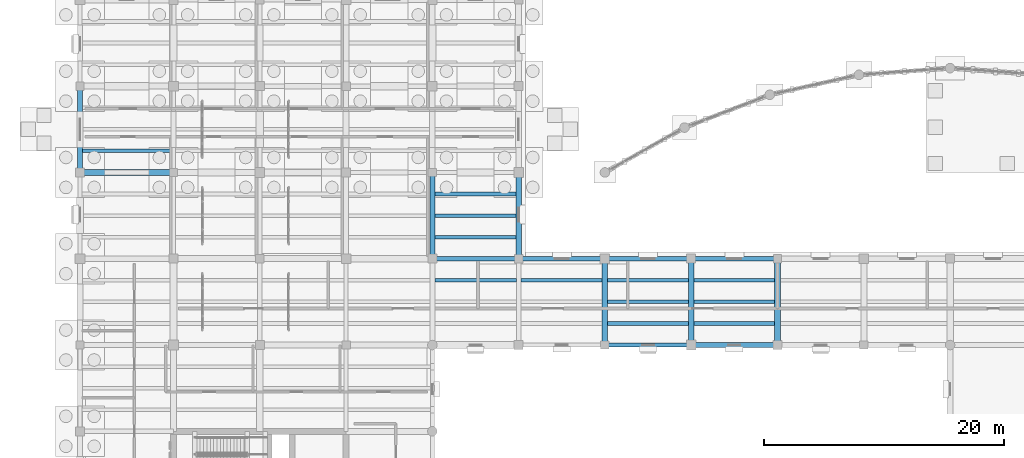
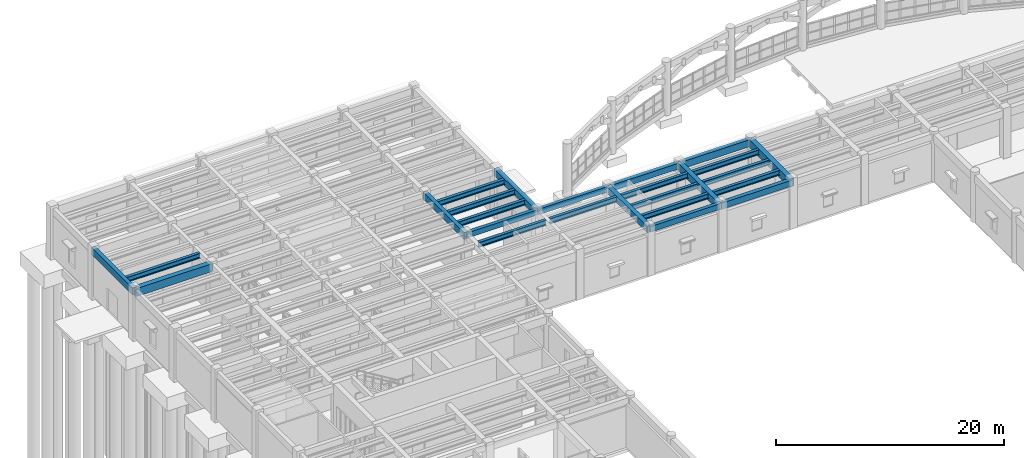
# One storey, part 24 of 100: 25 beams.
"""IFC4 building model written with IfcOpenShell, lengths in metres."""

from ifc_helpers import new_model, si_unit, direction, frame, origin, origin_2d, place, context, subcontext, project, spatial, rectangle, i_section, extrude, material, material_profile, profile_set, type_object, element, save


model = new_model("IFC4")

# Units and contexts
model_context = context("Model", 3, precision=1e-05, world=origin(), true_north=direction((0.0, 1.0)))
body_context = subcontext(model_context, "Body", "Model", "MODEL_VIEW")
ifc_project = project(units=[si_unit("LENGTHUNIT", "METRE"), si_unit("AREAUNIT", "SQUARE_METRE"), si_unit("VOLUMEUNIT", "CUBIC_METRE"), si_unit("PLANEANGLEUNIT", "RADIAN"), si_unit("MASSUNIT", "GRAM", prefix="KILO")], contexts=[model_context])

# Site, building, storey
site_placement = place(None, origin())
site = spatial("IfcSite", under=ifc_project, at=site_placement, CompositionType="ELEMENT")
building_placement = place(site_placement, origin())
building = spatial("IfcBuilding", under=site, at=building_placement, Name="Mithqara Police Headquarters", CompositionType="ELEMENT")
storey_placement = place(building_placement, origin())
storey = spatial("IfcBuildingStorey", under=building, at=storey_placement, Name="L00", CompositionType="ELEMENT", Elevation=0.0)

# Beams
ifc_material_1 = material(Name="Steel S355JR", Category="steel")
ifc_material_profile_1 = material_profile(ifc_material_1, i_section(OverallWidth=0.300048828125, OverallDepth=0.550048828125, WebThickness=0.014892578125, FlangeThickness=0.029052734375, FilletRadius=0.027099609375, at=origin_2d()), Name="HEB 550")
ifc_profile_set_1 = profile_set([ifc_material_profile_1], Name="Steel S355JR")
beam_type_1 = type_object("IfcBeamType", Name="BEAM HEB550", PredefinedType="BEAM", material=ifc_profile_set_1)
beam_1_placement = place(storey_placement, frame((0.199951171875, 94.800048828125, 4.844970703125), z_axis=(1.0, 0.0, 0.0), x_axis=(0.0, 1.0, 0.0)))
element("IfcBeam", 1, at=beam_1_placement, inside=storey, type_object=beam_type_1, Name="L00 Composite Steel Joist 1-2/P.1", PredefinedType="BEAM", context=body_context, shape_type="SweptSolid", body=[
    extrude(i_section(OverallWidth=0.300048828125, OverallDepth=0.550048828125, WebThickness=0.014892578125, FlangeThickness=0.029052734375, FilletRadius=0.027099609375, at=origin_2d()), origin(), (0.0, 0.0, 1.0), 7.425048828125),
])
beam_2_placement = place(storey_placement, frame((29.60009765625, 84.0, 4.844970703125), z_axis=(1.0, 0.0, 0.0), x_axis=(0.0, 1.0, 0.0)))
element("IfcBeam", 2, at=beam_2_placement, inside=storey, type_object=beam_type_1, Name="L00 Composite Steel Joist 5-6/M.3", PredefinedType="BEAM", context=body_context, shape_type="SweptSolid", body=[
    extrude(i_section(OverallWidth=0.300048828125, OverallDepth=0.550048828125, WebThickness=0.014892578125, FlangeThickness=0.029052734375, FilletRadius=0.027099609375, at=origin_2d()), origin(), (0.0, 0.0, 1.0), 6.7998046875),
])
for number, where, z_axis, x_axis, name in (
    (3, (29.60009765625, 87.60009765625, 4.844970703125), (1.0, 0.0, 0.0), (0.0, 1.0, 0.0), "L00 Composite Steel Joist 5-6/N.1"),
    (4, (29.60009765625, 89.39990234375, 4.844970703125), (1.0, 0.0, 0.0), (0.0, 1.0, 0.0), "L00 Composite Steel Joist 5-6/N.2"),
    (5, (29.60009765625, 91.199951171875, 4.844970703125), (1.0, 0.0, 0.0), (0.0, 1.0, 0.0), "L00 Composite Steel Joist 5-6/N.3"),
    (6, (36.800048828125, 84.0, 4.844970703125), (1.0, 0.0, 0.0), (0.0, 1.0, 0.0), "L00 Composite Steel Joist 6-7/M.3"),
):
    element("IfcBeam", number, at=place(storey_placement, frame(where, z_axis=z_axis, x_axis=x_axis)), inside=storey, type_object=beam_type_1, Name=name, PredefinedType="BEAM", context=body_context, shape_type="SweptSolid", body=[
        extrude(i_section(OverallWidth=0.300048828125, OverallDepth=0.550048828125, WebThickness=0.014892578125, FlangeThickness=0.029052734375, FilletRadius=0.027099609375, at=origin_2d()), origin(), (0.0, 0.0, 1.0), 6.77490234375),
    ])
for number, where, z_axis, x_axis, name in (
    (7, (44.02490234375, 80.39990234375, 4.844970703125), (1.0, 0.0, 0.0), (0.0, 1.0, 0.0), "L00 Composite Steel Joist 7-8/M.1"),
    (8, (44.02490234375, 82.199951171875, 4.844970703125), (1.0, 0.0, 0.0), (0.0, 1.0, 0.0), "L00 Composite Steel Joist 7-8/M.2"),
    (9, (44.02490234375, 84.0, 4.844970703125), (1.0, 0.0, 0.0), (0.0, 1.0, 0.0), "L00 Composite Steel Joist 7-8/M.3"),
):
    element("IfcBeam", number, at=place(storey_placement, frame(where, z_axis=z_axis, x_axis=x_axis)), inside=storey, type_object=beam_type_1, Name=name, PredefinedType="BEAM", context=body_context, shape_type="SweptSolid", body=[
        extrude(i_section(OverallWidth=0.300048828125, OverallDepth=0.550048828125, WebThickness=0.014892578125, FlangeThickness=0.029052734375, FilletRadius=0.027099609375, at=origin_2d()), origin(), (0.0, 0.0, 1.0), 6.75),
    ])
for number, where, z_axis, x_axis, name in (
    (10, (51.22509765625, 80.39990234375, 4.844970703125), (1.0, 0.0, 0.0), (0.0, 1.0, 0.0), "L00 Composite Steel Joist 8-9/M.1"),
    (11, (51.22509765625, 82.199951171875, 4.844970703125), (1.0, 0.0, 0.0), (0.0, 1.0, 0.0), "L00 Composite Steel Joist 8-9/M.2"),
    (12, (51.22509765625, 84.0, 4.844970703125), (1.0, 0.0, 0.0), (0.0, 1.0, 0.0), "L00 Composite Steel Joist 8-9/M.3"),
):
    element("IfcBeam", number, at=place(storey_placement, frame(where, z_axis=z_axis, x_axis=x_axis)), inside=storey, type_object=beam_type_1, Name=name, PredefinedType="BEAM", context=body_context, shape_type="SweptSolid", body=[
        extrude(i_section(OverallWidth=0.300048828125, OverallDepth=0.550048828125, WebThickness=0.014892578125, FlangeThickness=0.029052734375, FilletRadius=0.027099609375, at=origin_2d()), origin(), (0.0, 0.0, 1.0), 6.724853515625),
    ])
ifc_material_2 = material(Name="Concrete C40/50", Category="concrete")
ifc_material_profile_2 = material_profile(ifc_material_2, rectangle(XDim=0.35009765625, YDim=0.550048828125, at=origin_2d()), Name="RC 350x550")
ifc_profile_set_2 = profile_set([ifc_material_profile_2], Name="Concrete C40/50")
beam_type_2 = type_object("IfcBeamType", Name="BEAM RC350X550", PredefinedType="BEAM", material=ifc_profile_set_2)
beam_3_placement = place(storey_placement, frame((29.39990234375, 85.800048828125, 4.844970703125), z_axis=(1.0, 0.0, 0.0), x_axis=(0.0, 1.0, 0.0)))
element("IfcBeam", 13, at=beam_3_placement, inside=storey, type_object=beam_type_2, Name="L00 Girder 5-6/N", PredefinedType="BEAM", context=body_context, shape_type="SweptSolid", body=[
    extrude(rectangle(XDim=0.35009765625, YDim=0.550048828125, at=origin_2d()), origin(), (0.0, 0.0, 1.0), 7.2001953125),
])
ifc_material_profile_3 = material_profile(ifc_material_2, rectangle(XDim=0.35009765625, YDim=0.60009765625, at=origin_2d()), Name="RC 350x600")
ifc_profile_set_3 = profile_set([ifc_material_profile_3], Name="Concrete C40/50")
beam_type_3 = type_object("IfcBeamType", Name="BEAM RC350X600", PredefinedType="BEAM", material=ifc_profile_set_3)
for number, where, z_axis, x_axis, name in (
    (14, (36.60009765625, 85.800048828125, 4.820068359375), (1.0, 0.0, 0.0), (0.0, 1.0, 0.0), "L00 Girder 6-7/N"),
    (15, (43.800048828125, 78.60009765625, 4.820068359375), (1.0, 0.0, 0.0), (0.0, 1.0, 0.0), "L00 Girder 7-8/M"),
):
    element("IfcBeam", number, at=place(storey_placement, frame(where, z_axis=z_axis, x_axis=x_axis)), inside=storey, type_object=beam_type_3, Name=name, PredefinedType="BEAM", context=body_context, shape_type="SweptSolid", body=[
        extrude(rectangle(XDim=0.35009765625, YDim=0.60009765625, at=origin_2d()), origin(), (0.0, 0.0, 1.0), 7.199951171875),
    ])
ifc_material_profile_4 = material_profile(ifc_material_2, rectangle(XDim=0.39990234375, YDim=0.64990234375, at=origin_2d()), Name="RC 400x650")
ifc_profile_set_4 = profile_set([ifc_material_profile_4], Name="Concrete C40/50")
beam_type_4 = type_object("IfcBeamType", Name="BEAM RC400X650", PredefinedType="BEAM", material=ifc_profile_set_4)
for number, where, z_axis, x_axis, name in (
    (16, (43.800048828125, 85.800048828125, 4.794921875), (1.0, 0.0, 0.0), (0.0, 1.0, 0.0), "L00 Girder 7-8/N"),
    (17, (51.0, 78.60009765625, 4.794921875), (1.0, 0.0, 0.0), (0.0, 1.0, 0.0), "L00 Girder 8-9/M"),
):
    element("IfcBeam", number, at=place(storey_placement, frame(where, z_axis=z_axis, x_axis=x_axis)), inside=storey, type_object=beam_type_4, Name=name, PredefinedType="BEAM", context=body_context, shape_type="SweptSolid", body=[
        extrude(rectangle(XDim=0.39990234375, YDim=0.64990234375, at=origin_2d()), origin(), (0.0, 0.0, 1.0), 7.199951171875),
    ])
ifc_material_profile_5 = material_profile(ifc_material_2, rectangle(XDim=0.39990234375, YDim=0.75, at=origin_2d()), Name="RC 400x750")
ifc_profile_set_5 = profile_set([ifc_material_profile_5], Name="Concrete C40/50")
beam_type_5 = type_object("IfcBeamType", Name="BEAM RC400X750", PredefinedType="BEAM", material=ifc_profile_set_5)
for number, where, z_axis, x_axis, name in (
    (18, (29.39990234375, 85.800048828125, 4.7451171875), (0.0, 1.0, 0.0), (-1.0, 0.0, 0.0), "L00 Girder 5/N-P"),
    (19, (51.0, 85.800048828125, 4.7451171875), (1.0, 0.0, 0.0), (0.0, 1.0, 0.0), "L00 Girder 8-9/N"),
):
    element("IfcBeam", number, at=place(storey_placement, frame(where, z_axis=z_axis, x_axis=x_axis)), inside=storey, type_object=beam_type_5, Name=name, PredefinedType="BEAM", context=body_context, shape_type="SweptSolid", body=[
        extrude(rectangle(XDim=0.39990234375, YDim=0.75, at=origin_2d()), origin(), (0.0, 0.0, 1.0), 7.199951171875),
    ])
ifc_material_profile_6 = material_profile(ifc_material_2, rectangle(XDim=0.449951171875, YDim=0.699951171875, at=origin_2d()), Name="RC 450x700")
ifc_profile_set_6 = profile_set([ifc_material_profile_6], Name="Concrete C40/50")
beam_type_6 = type_object("IfcBeamType", Name="BEAM RC450X700", PredefinedType="BEAM", material=ifc_profile_set_6)
for number, where, z_axis, x_axis, name in (
    (20, (36.60009765625, 85.800048828125, 4.77001953125), (0.0, 1.0, 0.0), (-1.0, 0.0, 0.0), "L00 Girder 6/N-P"),
    (21, (43.800048828125, 78.60009765625, 4.77001953125), (0.0, 1.0, 0.0), (-1.0, 0.0, 0.0), "L00 Girder 7/M-N"),
):
    element("IfcBeam", number, at=place(storey_placement, frame(where, z_axis=z_axis, x_axis=x_axis)), inside=storey, type_object=beam_type_6, Name=name, PredefinedType="BEAM", context=body_context, shape_type="SweptSolid", body=[
        extrude(rectangle(XDim=0.449951171875, YDim=0.699951171875, at=origin_2d()), origin(), (0.0, 0.0, 1.0), 7.199951171875),
    ])
ifc_material_profile_7 = material_profile(ifc_material_2, rectangle(XDim=0.449951171875, YDim=0.800048828125, at=origin_2d()), Name="RC 450x800")
ifc_profile_set_7 = profile_set([ifc_material_profile_7], Name="Concrete C40/50")
beam_type_7 = type_object("IfcBeamType", Name="BEAM RC450X800", PredefinedType="BEAM", material=ifc_profile_set_7)
beam_4_placement = place(storey_placement, frame((51.0, 78.60009765625, 4.719970703125), z_axis=(0.0, 1.0, 0.0), x_axis=(-1.0, 0.0, 0.0)))
element("IfcBeam", 22, at=beam_4_placement, inside=storey, type_object=beam_type_7, Name="L00 Girder 8/M-N", PredefinedType="BEAM", context=body_context, shape_type="SweptSolid", body=[
    extrude(rectangle(XDim=0.449951171875, YDim=0.800048828125, at=origin_2d()), origin(), (0.0, 0.0, 1.0), 7.199951171875),
])
ifc_material_profile_8 = material_profile(ifc_material_2, rectangle(XDim=0.5, YDim=0.85009765625, at=origin_2d()), Name="RC 500x850")
ifc_profile_set_8 = profile_set([ifc_material_profile_8], Name="Concrete C40/50")
beam_type_8 = type_object("IfcBeamType", Name="BEAM RC500X850", PredefinedType="BEAM", material=ifc_profile_set_8)
beam_5_placement = place(storey_placement, frame((0.0, 93.0, 4.695068359375), z_axis=(1.0, 0.0, 0.0), x_axis=(0.0, 1.0, 0.0)))
element("IfcBeam", 23, at=beam_5_placement, inside=storey, type_object=beam_type_8, Name="L00 Girder 1-2/P", PredefinedType="BEAM", context=body_context, shape_type="SweptSolid", body=[
    extrude(rectangle(XDim=0.5, YDim=0.85009765625, at=origin_2d()), origin(), (0.0, 0.0, 1.0), 7.800048828125),
])
beam_6_placement = place(storey_placement, frame((58.199951171875, 78.60009765625, 4.695068359375), z_axis=(0.0, 1.0, 0.0), x_axis=(-1.0, 0.0, 0.0)))
element("IfcBeam", 24, at=beam_6_placement, inside=storey, type_object=beam_type_8, Name="L00 Girder 9/M-N", PredefinedType="BEAM", context=body_context, shape_type="SweptSolid", body=[
    extrude(rectangle(XDim=0.5, YDim=0.85009765625, at=origin_2d()), origin(), (0.0, 0.0, 1.0), 7.199951171875),
])
ifc_material_profile_9 = material_profile(ifc_material_2, rectangle(XDim=0.39990234375, YDim=0.75, at=origin_2d()), Name="SPB 400x750")
ifc_profile_set_9 = profile_set([ifc_material_profile_9], Name="Concrete C40/50")
beam_type_9 = type_object("IfcBeamType", Name="SPANDREL 400X750", PredefinedType="SPANDREL", material=ifc_profile_set_9)
beam_7_placement = place(storey_placement, frame((0.0, 93.0, 4.7451171875), z_axis=(0.0, 1.0, 0.0), x_axis=(-1.0, 0.0, 0.0)))
element("IfcBeam", 25, at=beam_7_placement, inside=storey, type_object=beam_type_9, Name="L00 Girder 1/P-Q", PredefinedType="SPANDREL", context=body_context, shape_type="SweptSolid", body=[
    extrude(rectangle(XDim=0.39990234375, YDim=0.75, at=origin_2d()), origin(), (0.0, 0.0, 1.0), 7.199951171875),
])

save(model, "model.ifc")
